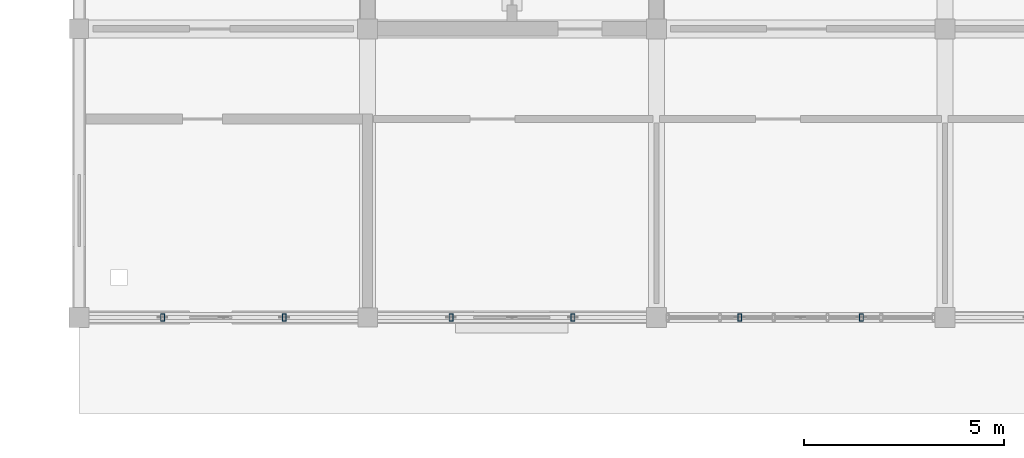
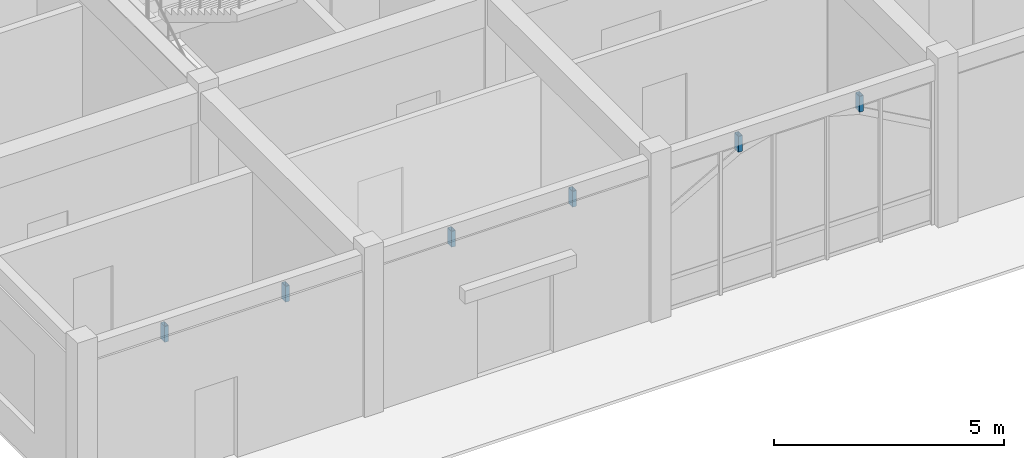
# One storey, part 33 of 138: 6 members.
"""IFC4 building model written with IfcOpenShell, lengths in metres."""

from ifc_helpers import new_model, si_unit, direction, frame, origin, origin_2d, place, context, subcontext, project, spatial, hollow_rectangle, extrude, material, material_profile, profile_set, type_object, element, save


model = new_model("IFC4")

# Units and contexts
model_context = context("Model", 3, precision=1e-05, world=origin(), true_north=direction((0.0, 1.0)))
body_context = subcontext(model_context, "Body", "Model", "MODEL_VIEW")
ifc_project = project(units=[si_unit("LENGTHUNIT", "METRE"), si_unit("AREAUNIT", "SQUARE_METRE"), si_unit("VOLUMEUNIT", "CUBIC_METRE"), si_unit("PLANEANGLEUNIT", "RADIAN"), si_unit("MASSUNIT", "GRAM", prefix="KILO"), si_unit("THERMODYNAMICTEMPERATUREUNIT", "KELVIN"), si_unit("POWERUNIT", "WATT")], contexts=[model_context])

# Site, building, storey
site_placement = place(None, origin())
site = spatial("IfcSite", under=ifc_project, at=site_placement, CompositionType="ELEMENT")
building_placement = place(site_placement, origin())
building = spatial("IfcBuilding", under=site, at=building_placement, Name="Tavuni Mirador Residences", CompositionType="ELEMENT")
storey_placement = place(building_placement, origin())
storey = spatial("IfcBuildingStorey", under=building, at=storey_placement, Name="L00", CompositionType="ELEMENT", Elevation=0.0)

# Members
ifc_material = material(Name="Structural steel S355", Category="steel")
ifc_material_profile = material_profile(ifc_material, hollow_rectangle(XDim=0.10009765625, YDim=0.179931640625, WallThickness=0.008056640625, at=origin_2d()), Name="RHS 180x100x8.0", Category="steel")
ifc_profile_set = profile_set([ifc_material_profile], Name="Structural steel S355")
member_type = type_object("IfcMemberType", Name="MT-BR-RHS180", PredefinedType="BRACE", material=ifc_profile_set)
for number, where, z_axis, x_axis, name in (
    (1, (48.882080078125, 7.199951171875, 3.6298828125), (0.0, 0.0, 1.0), (1.0, 0.0, 0.0), "ARCH-SHOP-S-00-V1"),
    (2, (51.91796875, 7.199951171875, 3.6298828125), (0.0, 0.0, 1.0), (1.0, 0.0, 0.0), "ARCH-SHOP-S-00-V2"),
    (3, (56.08203125, 7.199951171875, 3.6298828125), (0.0, 0.0, 1.0), (1.0, 0.0, 0.0), "ARCH-SHOP-S-01-V1"),
    (4, (59.117919921875, 7.199951171875, 3.6298828125), (0.0, 0.0, 1.0), (1.0, 0.0, 0.0), "ARCH-SHOP-S-01-V2"),
    (5, (63.281982421875, 7.199951171875, 3.6298828125), (0.0, 0.0, 1.0), (1.0, 0.0, 0.0), "ARCH-SHOP-S-02-V1"),
    (6, (66.318115234375, 7.199951171875, 3.6298828125), (0.0, 0.0, 1.0), (1.0, 0.0, 0.0), "ARCH-SHOP-S-02-V2"),
):
    element("IfcMember", number, at=place(storey_placement, frame(where, z_axis=z_axis, x_axis=x_axis)), inside=storey, type_object=member_type, Name=name, PredefinedType="BRACE", context=body_context, shape_type="SweptSolid", body=[
        extrude(hollow_rectangle(XDim=0.10009765625, YDim=0.179931640625, WallThickness=0.008056640625, at=origin_2d()), origin(), (0.0, 0.0, 1.0), 0.420166015625),
    ])

save(model, "model.ifc")
